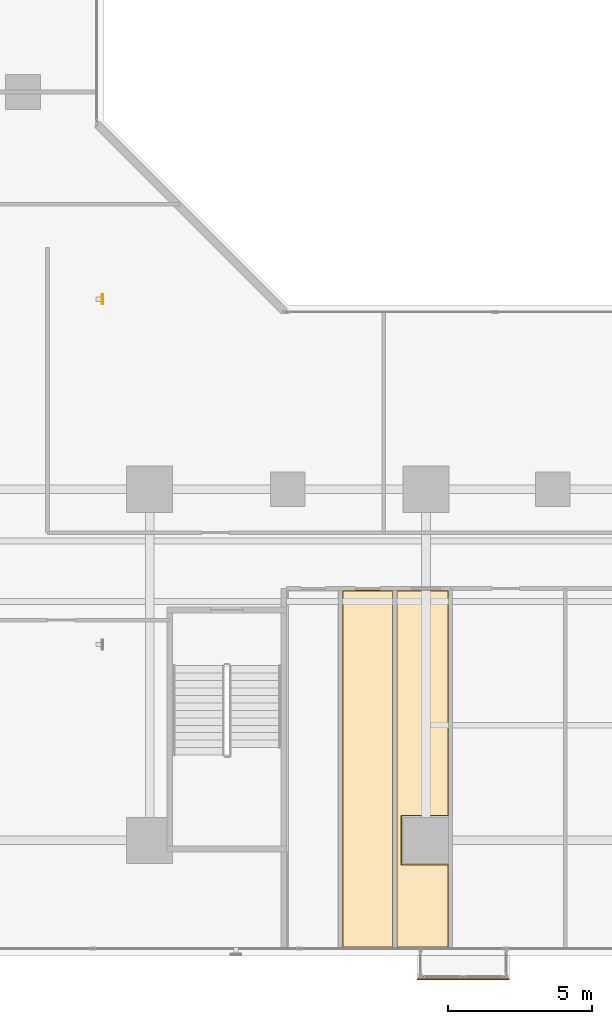
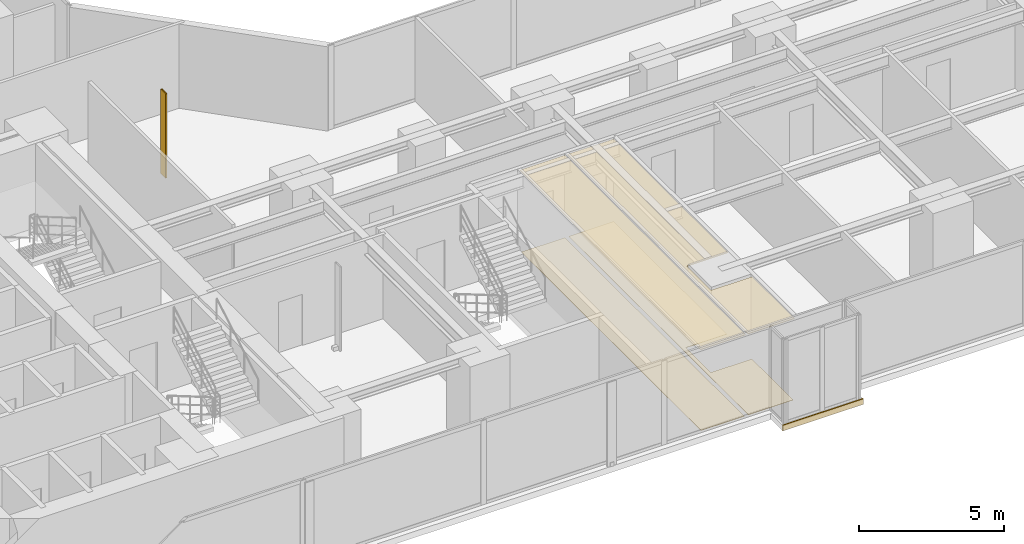
# One storey, part 27 of 28: 5 coverings, 1 shading device.
"""IFC4 building model written with IfcOpenShell, lengths in metres."""

from ifc_helpers import new_model, si_unit, direction, frame, origin, origin_2d, place, context, subcontext, project, spatial, polyline, rectangle, hollow_rectangle, outline, extrude, material, layer, layer_set, material_profile, profile_set, type_object, element, save


model = new_model("IFC4")

# Units and contexts
model_context = context("Model", 3, precision=1e-05, world=origin(), true_north=direction((0.0, 1.0)))
body_context = subcontext(model_context, "Body", "Model", "MODEL_VIEW")
ifc_project = project(units=[si_unit("LENGTHUNIT", "METRE"), si_unit("AREAUNIT", "SQUARE_METRE"), si_unit("VOLUMEUNIT", "CUBIC_METRE"), si_unit("PLANEANGLEUNIT", "RADIAN"), si_unit("MASSUNIT", "GRAM", prefix="KILO")], contexts=[model_context])

# Site, building, storey
site_placement = place(None, origin())
site = spatial("IfcSite", under=ifc_project, at=site_placement, CompositionType="ELEMENT")
building_placement = place(site_placement, origin())
building = spatial("IfcBuilding", under=site, at=building_placement, Name="Kolvaren Waterfront Exchange", CompositionType="ELEMENT")
storey_placement = place(building_placement, frame((0.0, 0.0, 56.199951171875)))
storey = spatial("IfcBuildingStorey", under=building, at=storey_placement, Name="L14", CompositionType="ELEMENT", Elevation=56.199951171875)

# Coverings
ifc_material_1 = material(Name="Mineral fibre acoustic ceiling tile")
ifc_layer_1 = layer(ifc_material_1, 0.02490234375, Name="Mineral fibre acoustic ceiling tile")
ifc_layer_set_1 = layer_set([ifc_layer_1], Name="Mineral fibre acoustic ceiling tile")
covering_type_1 = type_object("IfcCoveringType", Name="ARC-CEIL-ACOUSTIC-25", PredefinedType="CEILING", material=ifc_layer_set_1)
covering_1_placement = place(storey_placement, frame((0.0, 0.0, 3.425048828125)))
element("IfcCovering", 1, at=covering_1_placement, inside=storey, type_object=covering_type_1, Name="L14 acoustic suspended ceiling 2", PredefinedType="CEILING", context=body_context, shape_type="SweptSolid", body=[
    extrude(outline(polyline([(35.6650390625, 1.465087890625), (35.6650390625, 13.89501953125), (33.875, 13.89501953125), (33.875, 1.465087890625), (35.6650390625, 1.465087890625)])), origin(), (0.0, 0.0, 1.0), 0.02490234375),
])
covering_2_placement = place(storey_placement, frame((0.0, 0.0, 3.425048828125)))
element("IfcCovering", 2, at=covering_2_placement, inside=storey, type_object=covering_type_1, Name="L14 acoustic suspended ceiling 3", PredefinedType="CEILING", context=body_context, shape_type="SweptSolid", body=[
    extrude(outline(polyline([(37.60498046875, 4.360107421875), (35.9599609375, 4.360107421875), (35.9599609375, 6.0400390625), (37.60498046875, 6.0400390625), (37.60498046875, 13.89501953125), (35.7548828125, 13.89501953125), (35.7548828125, 1.465087890625), (37.60498046875, 1.465087890625), (37.60498046875, 4.360107421875)])), origin(), (0.0, 0.0, 1.0), 0.02490234375),
])
ifc_material_2 = material(Name="Anodised bronze fascia aluminium", Category="aluminium")
ifc_layer_2 = layer(ifc_material_2, 0.034912109375, Name="Anodised bronze fascia aluminium")
ifc_layer_set_2 = layer_set([ifc_layer_2], Name="Anodised bronze fascia aluminium")
covering_type_2 = type_object("IfcCoveringType", Name="ARC-CLAD-BRONZE-35", PredefinedType="CLADDING", material=ifc_layer_set_2)
covering_3_placement = place(storey_placement, frame((38.10009765625, 0.3701171875, -0.2197265625), z_axis=(0.0, 0.0, 1.0), x_axis=(1.0, 0.0, 0.0)))
element("IfcCovering", 3, at=covering_3_placement, inside=storey, type_object=covering_type_2, Name="L14 ribbed anodised bronze bay-box fascia", PredefinedType="CLADDING", context=body_context, shape_type="SweptSolid", body=[
    extrude(rectangle(XDim=3.199951171875, YDim=0.034912109375, at=origin_2d()), origin(), (0.0, 0.0, 1.0), 0.239990234375),
])

# Shading device
ifc_material_3 = material(Name="Anodised bronze aluminium 6063-T6", Category="aluminium")
ifc_material_profile = material_profile(ifc_material_3, hollow_rectangle(XDim=0.06005859375, YDim=0.35009765625, WallThickness=0.0048828125, at=origin_2d()), Name="BRZ-FIN-350x60x5")
ifc_profile_set = profile_set([ifc_material_profile], Name="Anodised bronze aluminium 6063-T6")
shading_device_type = type_object("IfcShadingDeviceType", Name="ARC-FIN-350", PredefinedType="USERDEFINED", material=ifc_profile_set)
shading_device_placement = place(storey_placement, frame((25.56005859375, 24.0, 0.0), z_axis=(0.0, 0.0, 1.0), x_axis=(1.0, 0.0, 0.0)))
element("IfcShadingDevice", 4, at=shading_device_placement, inside=storey, type_object=shading_device_type, Name="L14 anodised bronze solar shading fin FIN-L14-E2", ObjectType="SOLAR FIN", PredefinedType="USERDEFINED", context=body_context, shape_type="SweptSolid", body=[
    extrude(hollow_rectangle(XDim=0.06005859375, YDim=0.35009765625, WallThickness=0.0048828125, at=origin_2d()), origin(), (0.0, 0.0, 1.0), 3.5400390625),
])

# Coverings
ifc_material_4 = material(Name="Slip-resistant porcelain tile")
ifc_layer_3 = layer(ifc_material_4, 0.014892578125, Name="Slip-resistant porcelain tile")
ifc_layer_set_3 = layer_set([ifc_layer_3], Name="Slip-resistant porcelain tile")
covering_type_3 = type_object("IfcCoveringType", Name="ARC-FLR-PORC-15", PredefinedType="FLOORING", material=ifc_layer_set_3)
covering_4_placement = place(storey_placement, origin())
element("IfcCovering", 5, at=covering_4_placement, inside=storey, type_object=covering_type_3, Name="L14 floor finish 2", PredefinedType="FLOORING", context=body_context, shape_type="SweptSolid", body=[
    extrude(outline(polyline([(33.909912109375, 13.860107421875), (33.909912109375, 1.5), (35.6298828125, 1.5), (35.6298828125, 13.860107421875), (33.909912109375, 13.860107421875)])), origin(), (0.0, 0.0, 1.0), 0.01513671875),
])
covering_5_placement = place(storey_placement, origin())
element("IfcCovering", 6, at=covering_5_placement, inside=storey, type_object=covering_type_3, Name="L14 floor finish 3", PredefinedType="FLOORING", context=body_context, shape_type="SweptSolid", body=[
    extrude(outline(polyline([(35.7900390625, 13.860107421875), (35.7900390625, 1.5), (37.570068359375, 1.5), (37.570068359375, 4.340087890625), (35.93994140625, 4.340087890625), (35.93994140625, 6.06005859375), (37.570068359375, 6.06005859375), (37.570068359375, 13.860107421875), (35.7900390625, 13.860107421875)])), origin(), (0.0, 0.0, 1.0), 0.01513671875),
])

save(model, "model.ifc")
